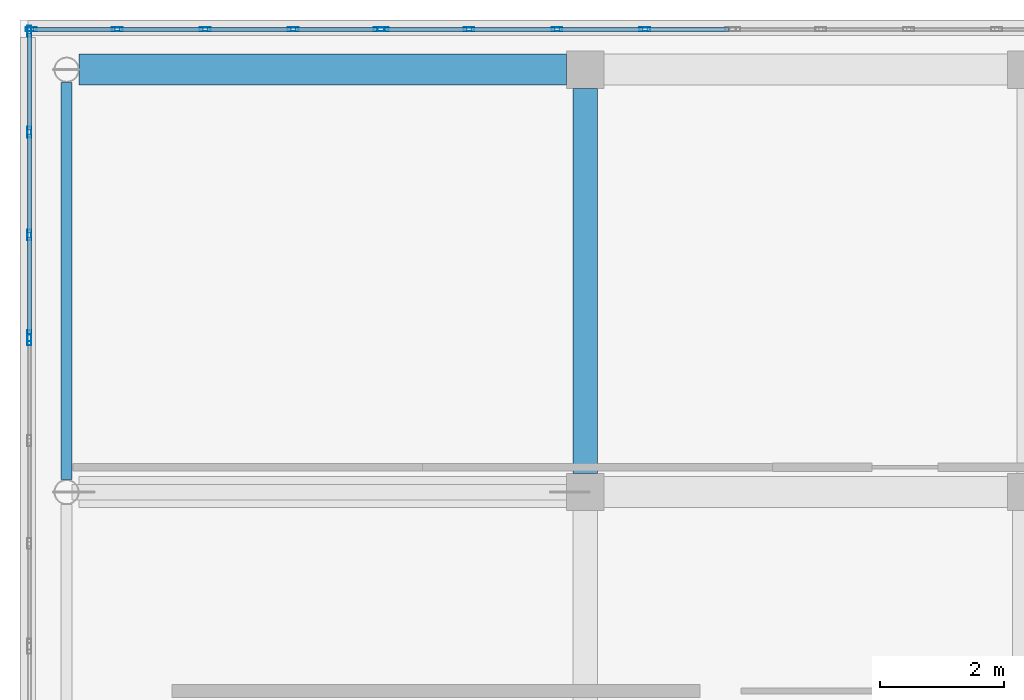
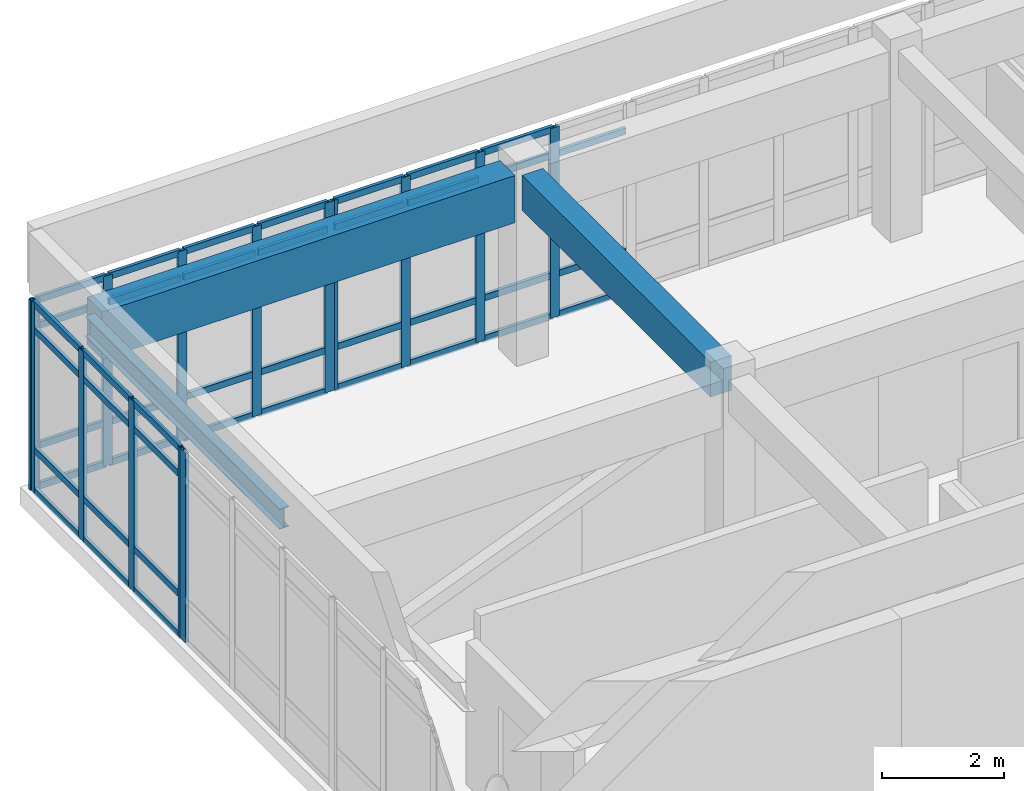
# One storey, part 5 of 14: 57 members, 3 beams, 4 elements without a shape of their own.
"""IFC4 building model written with IfcOpenShell, lengths in metres."""

from ifc_helpers import new_model, si_unit, direction, frame, origin, origin_2d, place, context, subcontext, project, spatial, rectangle, hollow_rectangle, i_section, extrude, material, layer, layer_set, material_profile, profile_set, type_object, element, aggregate, save


model = new_model("IFC4")

# Units and contexts
model_context = context("Model", 3, precision=1e-05, world=origin(), true_north=direction((0.0, 1.0)))
body_context = subcontext(model_context, "Body", "Model", "MODEL_VIEW")
ifc_project = project(units=[si_unit("LENGTHUNIT", "METRE"), si_unit("AREAUNIT", "SQUARE_METRE"), si_unit("VOLUMEUNIT", "CUBIC_METRE"), si_unit("PLANEANGLEUNIT", "RADIAN"), si_unit("MASSUNIT", "GRAM", prefix="KILO")], contexts=[model_context])

# Site, building, storey
site_placement = place(None, origin())
site = spatial("IfcSite", under=ifc_project, at=site_placement, CompositionType="ELEMENT")
building_placement = place(site_placement, origin())
building = spatial("IfcBuilding", under=site, at=building_placement, Name="Valcora Specialist Clinic", CompositionType="ELEMENT")
storey_placement = place(building_placement, frame((0.0, 0.0, 21.760009765625)))
storey = spatial("IfcBuildingStorey", under=building, at=storey_placement, Name="L05", CompositionType="ELEMENT", Elevation=21.760009765625)

# Beams
ifc_material_1 = material(Name="Steel ASTM A992 Grade 50", Category="steel")
ifc_material_profile_1 = material_profile(ifc_material_1, i_section(OverallWidth=0.177978515625, OverallDepth=0.406005859375, WebThickness=0.008056640625, FlangeThickness=0.012939453125, at=origin_2d()), Name="ST-IR-410X180")
ifc_profile_set_1 = profile_set([ifc_material_profile_1], Name="Steel ASTM A992 Grade 50")
beam_type_1 = type_object("IfcBeamType", Name="TY-BM-IR410", PredefinedType="SPANDREL", material=ifc_profile_set_1)
beam_1_placement = place(storey_placement, frame((0.75, 15.403076171875, 3.60302734375), z_axis=(0.0, 1.0, 0.0), x_axis=(-1.0, 0.0, 0.0)))
element("IfcBeam", 1, at=beam_1_placement, inside=storey, type_object=beam_type_1, Name="Beam BM-L05-1134", PredefinedType="SPANDREL", context=body_context, shape_type="SweptSolid", body=[
    extrude(i_section(OverallWidth=0.177978515625, OverallDepth=0.406005859375, WebThickness=0.008056640625, FlangeThickness=0.012939453125, at=origin_2d()), origin(), (0.0, 0.0, 1.0), 6.39404296875),
])
ifc_material_2 = material(Name="Concrete C40/50", Category="concrete")
ifc_material_profile_2 = material_profile(ifc_material_2, rectangle(XDim=0.39990234375, YDim=0.699951171875, at=origin_2d()), Name="RC-BM-400X700")
ifc_profile_set_2 = profile_set([ifc_material_profile_2], Name="Concrete C40/50")
beam_type_2 = type_object("IfcBeamType", Name="TY-BM-RC400X700", PredefinedType="BEAM", material=ifc_profile_set_2)
beam_2_placement = place(storey_placement, frame((9.10009765625, 15.5, 3.4599609375), z_axis=(0.0, 1.0, 0.0), x_axis=(-1.0, 0.0, 0.0)))
element("IfcBeam", 2, at=beam_2_placement, inside=storey, type_object=beam_type_2, Name="Beam BM-L05-1136", PredefinedType="BEAM", context=body_context, shape_type="SweptSolid", body=[
    extrude(rectangle(XDim=0.39990234375, YDim=0.699951171875, at=origin_2d()), origin(), (0.0, 0.0, 1.0), 6.199951171875),
])
ifc_material_profile_3 = material_profile(ifc_material_2, rectangle(XDim=0.5, YDim=0.949951171875, at=origin_2d()), Name="RC-BM-500X950")
ifc_profile_set_3 = profile_set([ifc_material_profile_3], Name="Concrete C40/50")
beam_type_3 = type_object("IfcBeamType", Name="TY-BM-TR500X950", PredefinedType="BEAM", material=ifc_profile_set_3)
beam_3_placement = place(storey_placement, frame((0.952880859375, 22.0, 3.3349609375), z_axis=(1.0, 0.0, 0.0), x_axis=(0.0, 1.0, 0.0)))
element("IfcBeam", 3, at=beam_3_placement, inside=storey, type_object=beam_type_3, Name="Beam BM-L05-1127", PredefinedType="BEAM", context=body_context, shape_type="SweptSolid", body=[
    extrude(rectangle(XDim=0.5, YDim=0.949951171875, at=origin_2d()), origin(), (0.0, 0.0, 1.0), 7.84716796875),
])

# Curtain wall, member
ifc_material_3 = material(Name="Anodized Bronze Aluminium 6063-T6", Category="aluminium")
ifc_layer = layer(ifc_material_3, 0.175048828125)
ifc_layer_set = layer_set([ifc_layer], Name="Anodized Bronze Aluminium 6063-T6")
curtain_wall_type = type_object("IfcCurtainWallType", Name="TY-CW-V5F15", PredefinedType="NOTDEFINED", material=ifc_layer_set)
curtain_wall_1_placement = place(storey_placement, origin())
curtain_wall_1 = element("IfcCurtainWall", 4, at=curtain_wall_1_placement, inside=storey, type_object=curtain_wall_type, Name="Curtain wall CW-L05-176", PredefinedType="NOTDEFINED")
ifc_material_profile_4 = material_profile(ifc_material_3, hollow_rectangle(XDim=0.06494140625, YDim=0.175048828125, WallThickness=0.00390625, at=origin_2d()), Name="AL-MUL-65X175")
ifc_profile_set_4 = profile_set([ifc_material_profile_4], Name="Anodized Bronze Aluminium 6063-T6")
member_type_1 = type_object("IfcMemberType", Name="TY-CWM-65X175", PredefinedType="MULLION", material=ifc_profile_set_4)
member_1_placement = place(storey_placement, frame((0.14990234375, 17.65087890625, 0.0), z_axis=(0.0, 0.0, 1.0), x_axis=(-1.0, 0.0, 0.0)))
member_1 = element("IfcMember", 5, at=member_1_placement, type_object=member_type_1, Name="CW-V5F-15 mullion 4", PredefinedType="MULLION", context=body_context, shape_type="SweptSolid", body=[
    extrude(hollow_rectangle(XDim=0.06494140625, YDim=0.175048828125, WallThickness=0.00390625, at=origin_2d()), origin(), (0.0, 0.0, 1.0), 3.81005859375),
])
aggregate(curtain_wall_1, [member_1])

# Curtain wall, members
curtain_wall_2_placement = place(storey_placement, origin())
curtain_wall_2 = element("IfcCurtainWall", 6, at=curtain_wall_2_placement, inside=storey, type_object=curtain_wall_type, Name="Curtain wall CW-L05-177", PredefinedType="NOTDEFINED")
member_2_placement = place(storey_placement, frame((0.14990234375, 17.7158203125, 0.0), z_axis=(0.0, 0.0, 1.0), x_axis=(-1.0, 0.0, 0.0)))
member_2 = element("IfcMember", 7, at=member_2_placement, type_object=member_type_1, Name="CW-V5F-15 mullion 1", PredefinedType="MULLION", context=body_context, shape_type="SweptSolid", body=[
    extrude(hollow_rectangle(XDim=0.06494140625, YDim=0.175048828125, WallThickness=0.00390625, at=origin_2d()), origin(), (0.0, 0.0, 1.0), 3.81005859375),
])
member_3_placement = place(storey_placement, frame((0.14990234375, 19.3388671875, 0.0), z_axis=(0.0, 0.0, 1.0), x_axis=(-1.0, 0.0, 0.0)))
member_3 = element("IfcMember", 8, at=member_3_placement, type_object=member_type_1, Name="CW-V5F-15 mullion 2", PredefinedType="MULLION", context=body_context, shape_type="SweptSolid", body=[
    extrude(hollow_rectangle(XDim=0.06494140625, YDim=0.175048828125, WallThickness=0.00390625, at=origin_2d()), origin(), (0.0, 0.0, 1.0), 3.81005859375),
])
member_4_placement = place(storey_placement, frame((0.14990234375, 20.994384765625, 0.0), z_axis=(0.0, 0.0, 1.0), x_axis=(-1.0, 0.0, 0.0)))
member_4 = element("IfcMember", 9, at=member_4_placement, type_object=member_type_1, Name="CW-V5F-15 mullion 3", PredefinedType="MULLION", context=body_context, shape_type="SweptSolid", body=[
    extrude(hollow_rectangle(XDim=0.06494140625, YDim=0.175048828125, WallThickness=0.00390625, at=origin_2d()), origin(), (0.0, 0.0, 1.0), 3.81005859375),
])
member_5_placement = place(storey_placement, frame((0.14990234375, 22.617431640625, 0.0), z_axis=(0.0, 0.0, 1.0), x_axis=(-1.0, 0.0, 0.0)))
member_5 = element("IfcMember", 10, at=member_5_placement, type_object=member_type_1, Name="CW-V5F-15 mullion 4", PredefinedType="MULLION", context=body_context, shape_type="SweptSolid", body=[
    extrude(hollow_rectangle(XDim=0.06494140625, YDim=0.175048828125, WallThickness=0.00390625, at=origin_2d()), origin(), (0.0, 0.0, 1.0), 3.81005859375),
])

curtain_wall_3_placement = place(storey_placement, origin())
curtain_wall_3 = element("IfcCurtainWall", 11, at=curtain_wall_3_placement, inside=storey, type_object=curtain_wall_type, Name="Curtain wall CW-L05-178", PredefinedType="NOTDEFINED")
member_6_placement = place(storey_placement, frame((0.1826171875, 22.64990234375, 0.0), z_axis=(0.0, 0.0, 1.0), x_axis=(0.0, 1.0, 0.0)))
member_6 = element("IfcMember", 12, at=member_6_placement, type_object=member_type_1, Name="CW-V5F-15 mullion 1", PredefinedType="MULLION", context=body_context, shape_type="SweptSolid", body=[
    extrude(hollow_rectangle(XDim=0.06494140625, YDim=0.175048828125, WallThickness=0.00390625, at=origin_2d()), origin(), (0.0, 0.0, 1.0), 3.81005859375),
])
member_7_placement = place(storey_placement, frame((1.565673828125, 22.64990234375, 0.0), z_axis=(0.0, 0.0, 1.0), x_axis=(0.0, 1.0, 0.0)))
member_7 = element("IfcMember", 13, at=member_7_placement, type_object=member_type_1, Name="CW-V5F-15 mullion 2", PredefinedType="MULLION", context=body_context, shape_type="SweptSolid", body=[
    extrude(hollow_rectangle(XDim=0.06494140625, YDim=0.175048828125, WallThickness=0.00390625, at=origin_2d()), origin(), (0.0, 0.0, 1.0), 3.81005859375),
])
member_8_placement = place(storey_placement, frame((2.981201171875, 22.64990234375, 0.0), z_axis=(0.0, 0.0, 1.0), x_axis=(0.0, 1.0, 0.0)))
member_8 = element("IfcMember", 14, at=member_8_placement, type_object=member_type_1, Name="CW-V5F-15 mullion 3", PredefinedType="MULLION", context=body_context, shape_type="SweptSolid", body=[
    extrude(hollow_rectangle(XDim=0.06494140625, YDim=0.175048828125, WallThickness=0.00390625, at=origin_2d()), origin(), (0.0, 0.0, 1.0), 3.81005859375),
])
member_9_placement = place(storey_placement, frame((4.39697265625, 22.64990234375, 0.0), z_axis=(0.0, 0.0, 1.0), x_axis=(0.0, 1.0, 0.0)))
member_9 = element("IfcMember", 15, at=member_9_placement, type_object=member_type_1, Name="CW-V5F-15 mullion 4", PredefinedType="MULLION", context=body_context, shape_type="SweptSolid", body=[
    extrude(hollow_rectangle(XDim=0.06494140625, YDim=0.175048828125, WallThickness=0.00390625, at=origin_2d()), origin(), (0.0, 0.0, 1.0), 3.81005859375),
])
member_10_placement = place(storey_placement, frame((5.780029296875, 22.64990234375, 0.0), z_axis=(0.0, 0.0, 1.0), x_axis=(0.0, 1.0, 0.0)))
member_10 = element("IfcMember", 16, at=member_10_placement, type_object=member_type_1, Name="CW-V5F-15 mullion 5", PredefinedType="MULLION", context=body_context, shape_type="SweptSolid", body=[
    extrude(hollow_rectangle(XDim=0.06494140625, YDim=0.175048828125, WallThickness=0.00390625, at=origin_2d()), origin(), (0.0, 0.0, 1.0), 3.81005859375),
])

curtain_wall_4_placement = place(storey_placement, origin())
curtain_wall_4 = element("IfcCurtainWall", 17, at=curtain_wall_4_placement, inside=storey, type_object=curtain_wall_type, Name="Curtain wall CW-L05-179", PredefinedType="NOTDEFINED")
member_11_placement = place(storey_placement, frame((5.844970703125, 22.64990234375, 0.0), z_axis=(0.0, 0.0, 1.0), x_axis=(0.0, 1.0, 0.0)))
member_11 = element("IfcMember", 18, at=member_11_placement, type_object=member_type_1, Name="CW-V5F-15 mullion 1", PredefinedType="MULLION", context=body_context, shape_type="SweptSolid", body=[
    extrude(hollow_rectangle(XDim=0.06494140625, YDim=0.175048828125, WallThickness=0.00390625, at=origin_2d()), origin(), (0.0, 0.0, 1.0), 3.81005859375),
])
member_12_placement = place(storey_placement, frame((7.22802734375, 22.64990234375, 0.0), z_axis=(0.0, 0.0, 1.0), x_axis=(0.0, 1.0, 0.0)))
member_12 = element("IfcMember", 19, at=member_12_placement, type_object=member_type_1, Name="CW-V5F-15 mullion 2", PredefinedType="MULLION", context=body_context, shape_type="SweptSolid", body=[
    extrude(hollow_rectangle(XDim=0.06494140625, YDim=0.175048828125, WallThickness=0.00390625, at=origin_2d()), origin(), (0.0, 0.0, 1.0), 3.81005859375),
])
member_13_placement = place(storey_placement, frame((8.643798828125, 22.64990234375, 0.0), z_axis=(0.0, 0.0, 1.0), x_axis=(0.0, 1.0, 0.0)))
member_13 = element("IfcMember", 20, at=member_13_placement, type_object=member_type_1, Name="CW-V5F-15 mullion 3", PredefinedType="MULLION", context=body_context, shape_type="SweptSolid", body=[
    extrude(hollow_rectangle(XDim=0.06494140625, YDim=0.175048828125, WallThickness=0.00390625, at=origin_2d()), origin(), (0.0, 0.0, 1.0), 3.81005859375),
])
member_14_placement = place(storey_placement, frame((10.059326171875, 22.64990234375, 0.0), z_axis=(0.0, 0.0, 1.0), x_axis=(0.0, 1.0, 0.0)))
member_14 = element("IfcMember", 21, at=member_14_placement, type_object=member_type_1, Name="CW-V5F-15 mullion 4", PredefinedType="MULLION", context=body_context, shape_type="SweptSolid", body=[
    extrude(hollow_rectangle(XDim=0.06494140625, YDim=0.175048828125, WallThickness=0.00390625, at=origin_2d()), origin(), (0.0, 0.0, 1.0), 3.81005859375),
])

# Member
ifc_material_profile_5 = material_profile(ifc_material_3, hollow_rectangle(XDim=0.06494140625, YDim=0.1298828125, WallThickness=0.00390625, at=origin_2d()), Name="AL-TRN-65X130")
ifc_profile_set_5 = profile_set([ifc_material_profile_5], Name="Anodized Bronze Aluminium 6063-T6")
member_type_2 = type_object("IfcMemberType", Name="TY-CWT-65X130", PredefinedType="USERDEFINED", material=ifc_profile_set_5)
member_15_placement = place(storey_placement, frame((0.14990234375, 17.748291015625, 0.032470703125), z_axis=(0.0, 1.0, 0.0), x_axis=(-1.0, 0.0, 0.0)))
member_15 = element("IfcMember", 22, at=member_15_placement, type_object=member_type_2, Name="CW-V5F-15 transom 1.1", ObjectType="TRANSOM", PredefinedType="USERDEFINED", context=body_context, shape_type="SweptSolid", body=[
    extrude(hollow_rectangle(XDim=0.06494140625, YDim=0.1298828125, WallThickness=0.00390625, at=origin_2d()), origin(), (0.0, 0.0, 1.0), 1.55810546875),
])

member_16_placement = place(storey_placement, frame((0.14990234375, 17.748291015625, 0.85009765625), z_axis=(0.0, 1.0, 0.0), x_axis=(-1.0, 0.0, 0.0)))
member_16 = element("IfcMember", 23, at=member_16_placement, type_object=member_type_2, Name="CW-V5F-15 transom 1.2", ObjectType="TRANSOM", PredefinedType="USERDEFINED", context=body_context, shape_type="SweptSolid", body=[
    extrude(hollow_rectangle(XDim=0.06494140625, YDim=0.1298828125, WallThickness=0.00390625, at=origin_2d()), origin(), (0.0, 0.0, 1.0), 1.55810546875),
])

member_17_placement = place(storey_placement, frame((0.14990234375, 17.748291015625, 3.260009765625), z_axis=(0.0, 1.0, 0.0), x_axis=(-1.0, 0.0, 0.0)))
member_17 = element("IfcMember", 24, at=member_17_placement, type_object=member_type_2, Name="CW-V5F-15 transom 1.3", ObjectType="TRANSOM", PredefinedType="USERDEFINED", context=body_context, shape_type="SweptSolid", body=[
    extrude(hollow_rectangle(XDim=0.06494140625, YDim=0.1298828125, WallThickness=0.00390625, at=origin_2d()), origin(), (0.0, 0.0, 1.0), 1.55810546875),
])

member_18_placement = place(storey_placement, frame((0.14990234375, 17.748291015625, 3.777587890625), z_axis=(0.0, 1.0, 0.0), x_axis=(-1.0, 0.0, 0.0)))
member_18 = element("IfcMember", 25, at=member_18_placement, type_object=member_type_2, Name="CW-V5F-15 transom 1.4", ObjectType="TRANSOM", PredefinedType="USERDEFINED", context=body_context, shape_type="SweptSolid", body=[
    extrude(hollow_rectangle(XDim=0.06494140625, YDim=0.1298828125, WallThickness=0.00390625, at=origin_2d()), origin(), (0.0, 0.0, 1.0), 1.55810546875),
])

member_19_placement = place(storey_placement, frame((0.14990234375, 19.371337890625, 0.032470703125), z_axis=(0.0, 1.0, 0.0), x_axis=(-1.0, 0.0, 0.0)))
member_19 = element("IfcMember", 26, at=member_19_placement, type_object=member_type_2, Name="CW-V5F-15 transom 2.1", ObjectType="TRANSOM", PredefinedType="USERDEFINED", context=body_context, shape_type="SweptSolid", body=[
    extrude(hollow_rectangle(XDim=0.06494140625, YDim=0.1298828125, WallThickness=0.00390625, at=origin_2d()), origin(), (0.0, 0.0, 1.0), 1.590576171875),
])

member_20_placement = place(storey_placement, frame((0.14990234375, 19.371337890625, 0.85009765625), z_axis=(0.0, 1.0, 0.0), x_axis=(-1.0, 0.0, 0.0)))
member_20 = element("IfcMember", 27, at=member_20_placement, type_object=member_type_2, Name="CW-V5F-15 transom 2.2", ObjectType="TRANSOM", PredefinedType="USERDEFINED", context=body_context, shape_type="SweptSolid", body=[
    extrude(hollow_rectangle(XDim=0.06494140625, YDim=0.1298828125, WallThickness=0.00390625, at=origin_2d()), origin(), (0.0, 0.0, 1.0), 1.590576171875),
])

member_21_placement = place(storey_placement, frame((0.14990234375, 19.371337890625, 3.260009765625), z_axis=(0.0, 1.0, 0.0), x_axis=(-1.0, 0.0, 0.0)))
member_21 = element("IfcMember", 28, at=member_21_placement, type_object=member_type_2, Name="CW-V5F-15 transom 2.3", ObjectType="TRANSOM", PredefinedType="USERDEFINED", context=body_context, shape_type="SweptSolid", body=[
    extrude(hollow_rectangle(XDim=0.06494140625, YDim=0.1298828125, WallThickness=0.00390625, at=origin_2d()), origin(), (0.0, 0.0, 1.0), 1.590576171875),
])

member_22_placement = place(storey_placement, frame((0.14990234375, 19.371337890625, 3.777587890625), z_axis=(0.0, 1.0, 0.0), x_axis=(-1.0, 0.0, 0.0)))
member_22 = element("IfcMember", 29, at=member_22_placement, type_object=member_type_2, Name="CW-V5F-15 transom 2.4", ObjectType="TRANSOM", PredefinedType="USERDEFINED", context=body_context, shape_type="SweptSolid", body=[
    extrude(hollow_rectangle(XDim=0.06494140625, YDim=0.1298828125, WallThickness=0.00390625, at=origin_2d()), origin(), (0.0, 0.0, 1.0), 1.590576171875),
])

member_23_placement = place(storey_placement, frame((0.14990234375, 21.02685546875, 0.032470703125), z_axis=(0.0, 1.0, 0.0), x_axis=(-1.0, 0.0, 0.0)))
member_23 = element("IfcMember", 30, at=member_23_placement, type_object=member_type_2, Name="CW-V5F-15 transom 3.1", ObjectType="TRANSOM", PredefinedType="USERDEFINED", context=body_context, shape_type="SweptSolid", body=[
    extrude(hollow_rectangle(XDim=0.06494140625, YDim=0.1298828125, WallThickness=0.00390625, at=origin_2d()), origin(), (0.0, 0.0, 1.0), 1.55810546875),
])

member_24_placement = place(storey_placement, frame((0.14990234375, 21.02685546875, 0.85009765625), z_axis=(0.0, 1.0, 0.0), x_axis=(-1.0, 0.0, 0.0)))
member_24 = element("IfcMember", 31, at=member_24_placement, type_object=member_type_2, Name="CW-V5F-15 transom 3.2", ObjectType="TRANSOM", PredefinedType="USERDEFINED", context=body_context, shape_type="SweptSolid", body=[
    extrude(hollow_rectangle(XDim=0.06494140625, YDim=0.1298828125, WallThickness=0.00390625, at=origin_2d()), origin(), (0.0, 0.0, 1.0), 1.55810546875),
])

member_25_placement = place(storey_placement, frame((0.14990234375, 21.02685546875, 3.260009765625), z_axis=(0.0, 1.0, 0.0), x_axis=(-1.0, 0.0, 0.0)))
member_25 = element("IfcMember", 32, at=member_25_placement, type_object=member_type_2, Name="CW-V5F-15 transom 3.3", ObjectType="TRANSOM", PredefinedType="USERDEFINED", context=body_context, shape_type="SweptSolid", body=[
    extrude(hollow_rectangle(XDim=0.06494140625, YDim=0.1298828125, WallThickness=0.00390625, at=origin_2d()), origin(), (0.0, 0.0, 1.0), 1.55810546875),
])

member_26_placement = place(storey_placement, frame((0.14990234375, 21.02685546875, 3.777587890625), z_axis=(0.0, 1.0, 0.0), x_axis=(-1.0, 0.0, 0.0)))
member_26 = element("IfcMember", 33, at=member_26_placement, type_object=member_type_2, Name="CW-V5F-15 transom 3.4", ObjectType="TRANSOM", PredefinedType="USERDEFINED", context=body_context, shape_type="SweptSolid", body=[
    extrude(hollow_rectangle(XDim=0.06494140625, YDim=0.1298828125, WallThickness=0.00390625, at=origin_2d()), origin(), (0.0, 0.0, 1.0), 1.55810546875),
])

aggregate(curtain_wall_2, [member_2, member_3, member_4, member_5, member_15, member_16, member_17, member_18, member_19, member_20, member_21, member_22, member_23, member_24, member_25, member_26])

member_27_placement = place(storey_placement, frame((0.215087890625, 22.64990234375, 0.032470703125), z_axis=(1.0, 0.0, 0.0), x_axis=(0.0, 1.0, 0.0)))
member_27 = element("IfcMember", 34, at=member_27_placement, type_object=member_type_2, Name="CW-V5F-15 transom 1.1", ObjectType="TRANSOM", PredefinedType="USERDEFINED", context=body_context, shape_type="SweptSolid", body=[
    extrude(hollow_rectangle(XDim=0.06494140625, YDim=0.1298828125, WallThickness=0.00390625, at=origin_2d()), origin(), (0.0, 0.0, 1.0), 1.318115234375),
])

member_28_placement = place(storey_placement, frame((0.215087890625, 22.64990234375, 0.85009765625), z_axis=(1.0, 0.0, 0.0), x_axis=(0.0, 1.0, 0.0)))
member_28 = element("IfcMember", 35, at=member_28_placement, type_object=member_type_2, Name="CW-V5F-15 transom 1.2", ObjectType="TRANSOM", PredefinedType="USERDEFINED", context=body_context, shape_type="SweptSolid", body=[
    extrude(hollow_rectangle(XDim=0.06494140625, YDim=0.1298828125, WallThickness=0.00390625, at=origin_2d()), origin(), (0.0, 0.0, 1.0), 1.318115234375),
])

member_29_placement = place(storey_placement, frame((0.215087890625, 22.64990234375, 3.260009765625), z_axis=(1.0, 0.0, 0.0), x_axis=(0.0, 1.0, 0.0)))
member_29 = element("IfcMember", 36, at=member_29_placement, type_object=member_type_2, Name="CW-V5F-15 transom 1.3", ObjectType="TRANSOM", PredefinedType="USERDEFINED", context=body_context, shape_type="SweptSolid", body=[
    extrude(hollow_rectangle(XDim=0.06494140625, YDim=0.1298828125, WallThickness=0.00390625, at=origin_2d()), origin(), (0.0, 0.0, 1.0), 1.318115234375),
])

member_30_placement = place(storey_placement, frame((0.215087890625, 22.64990234375, 3.777587890625), z_axis=(1.0, 0.0, 0.0), x_axis=(0.0, 1.0, 0.0)))
member_30 = element("IfcMember", 37, at=member_30_placement, type_object=member_type_2, Name="CW-V5F-15 transom 1.4", ObjectType="TRANSOM", PredefinedType="USERDEFINED", context=body_context, shape_type="SweptSolid", body=[
    extrude(hollow_rectangle(XDim=0.06494140625, YDim=0.1298828125, WallThickness=0.00390625, at=origin_2d()), origin(), (0.0, 0.0, 1.0), 1.318115234375),
])

member_31_placement = place(storey_placement, frame((1.59814453125, 22.64990234375, 0.032470703125), z_axis=(1.0, 0.0, 0.0), x_axis=(0.0, 1.0, 0.0)))
member_31 = element("IfcMember", 38, at=member_31_placement, type_object=member_type_2, Name="CW-V5F-15 transom 2.1", ObjectType="TRANSOM", PredefinedType="USERDEFINED", context=body_context, shape_type="SweptSolid", body=[
    extrude(hollow_rectangle(XDim=0.06494140625, YDim=0.1298828125, WallThickness=0.00390625, at=origin_2d()), origin(), (0.0, 0.0, 1.0), 1.3505859375),
])

member_32_placement = place(storey_placement, frame((1.59814453125, 22.64990234375, 0.85009765625), z_axis=(1.0, 0.0, 0.0), x_axis=(0.0, 1.0, 0.0)))
member_32 = element("IfcMember", 39, at=member_32_placement, type_object=member_type_2, Name="CW-V5F-15 transom 2.2", ObjectType="TRANSOM", PredefinedType="USERDEFINED", context=body_context, shape_type="SweptSolid", body=[
    extrude(hollow_rectangle(XDim=0.06494140625, YDim=0.1298828125, WallThickness=0.00390625, at=origin_2d()), origin(), (0.0, 0.0, 1.0), 1.3505859375),
])

member_33_placement = place(storey_placement, frame((1.59814453125, 22.64990234375, 3.260009765625), z_axis=(1.0, 0.0, 0.0), x_axis=(0.0, 1.0, 0.0)))
member_33 = element("IfcMember", 40, at=member_33_placement, type_object=member_type_2, Name="CW-V5F-15 transom 2.3", ObjectType="TRANSOM", PredefinedType="USERDEFINED", context=body_context, shape_type="SweptSolid", body=[
    extrude(hollow_rectangle(XDim=0.06494140625, YDim=0.1298828125, WallThickness=0.00390625, at=origin_2d()), origin(), (0.0, 0.0, 1.0), 1.3505859375),
])

member_34_placement = place(storey_placement, frame((1.59814453125, 22.64990234375, 3.777587890625), z_axis=(1.0, 0.0, 0.0), x_axis=(0.0, 1.0, 0.0)))
member_34 = element("IfcMember", 41, at=member_34_placement, type_object=member_type_2, Name="CW-V5F-15 transom 2.4", ObjectType="TRANSOM", PredefinedType="USERDEFINED", context=body_context, shape_type="SweptSolid", body=[
    extrude(hollow_rectangle(XDim=0.06494140625, YDim=0.1298828125, WallThickness=0.00390625, at=origin_2d()), origin(), (0.0, 0.0, 1.0), 1.3505859375),
])

member_35_placement = place(storey_placement, frame((3.013671875, 22.64990234375, 0.032470703125), z_axis=(1.0, 0.0, 0.0), x_axis=(0.0, 1.0, 0.0)))
member_35 = element("IfcMember", 42, at=member_35_placement, type_object=member_type_2, Name="CW-V5F-15 transom 3.1", ObjectType="TRANSOM", PredefinedType="USERDEFINED", context=body_context, shape_type="SweptSolid", body=[
    extrude(hollow_rectangle(XDim=0.06494140625, YDim=0.1298828125, WallThickness=0.00390625, at=origin_2d()), origin(), (0.0, 0.0, 1.0), 1.3505859375),
])

member_36_placement = place(storey_placement, frame((3.013671875, 22.64990234375, 0.85009765625), z_axis=(1.0, 0.0, 0.0), x_axis=(0.0, 1.0, 0.0)))
member_36 = element("IfcMember", 43, at=member_36_placement, type_object=member_type_2, Name="CW-V5F-15 transom 3.2", ObjectType="TRANSOM", PredefinedType="USERDEFINED", context=body_context, shape_type="SweptSolid", body=[
    extrude(hollow_rectangle(XDim=0.06494140625, YDim=0.1298828125, WallThickness=0.00390625, at=origin_2d()), origin(), (0.0, 0.0, 1.0), 1.3505859375),
])

member_37_placement = place(storey_placement, frame((3.013671875, 22.64990234375, 3.260009765625), z_axis=(1.0, 0.0, 0.0), x_axis=(0.0, 1.0, 0.0)))
member_37 = element("IfcMember", 44, at=member_37_placement, type_object=member_type_2, Name="CW-V5F-15 transom 3.3", ObjectType="TRANSOM", PredefinedType="USERDEFINED", context=body_context, shape_type="SweptSolid", body=[
    extrude(hollow_rectangle(XDim=0.06494140625, YDim=0.1298828125, WallThickness=0.00390625, at=origin_2d()), origin(), (0.0, 0.0, 1.0), 1.3505859375),
])

member_38_placement = place(storey_placement, frame((3.013671875, 22.64990234375, 3.777587890625), z_axis=(1.0, 0.0, 0.0), x_axis=(0.0, 1.0, 0.0)))
member_38 = element("IfcMember", 45, at=member_38_placement, type_object=member_type_2, Name="CW-V5F-15 transom 3.4", ObjectType="TRANSOM", PredefinedType="USERDEFINED", context=body_context, shape_type="SweptSolid", body=[
    extrude(hollow_rectangle(XDim=0.06494140625, YDim=0.1298828125, WallThickness=0.00390625, at=origin_2d()), origin(), (0.0, 0.0, 1.0), 1.3505859375),
])

member_39_placement = place(storey_placement, frame((4.429443359375, 22.64990234375, 0.032470703125), z_axis=(1.0, 0.0, 0.0), x_axis=(0.0, 1.0, 0.0)))
member_39 = element("IfcMember", 46, at=member_39_placement, type_object=member_type_2, Name="CW-V5F-15 transom 4.1", ObjectType="TRANSOM", PredefinedType="USERDEFINED", context=body_context, shape_type="SweptSolid", body=[
    extrude(hollow_rectangle(XDim=0.06494140625, YDim=0.1298828125, WallThickness=0.00390625, at=origin_2d()), origin(), (0.0, 0.0, 1.0), 1.318115234375),
])

member_40_placement = place(storey_placement, frame((4.429443359375, 22.64990234375, 0.85009765625), z_axis=(1.0, 0.0, 0.0), x_axis=(0.0, 1.0, 0.0)))
member_40 = element("IfcMember", 47, at=member_40_placement, type_object=member_type_2, Name="CW-V5F-15 transom 4.2", ObjectType="TRANSOM", PredefinedType="USERDEFINED", context=body_context, shape_type="SweptSolid", body=[
    extrude(hollow_rectangle(XDim=0.06494140625, YDim=0.1298828125, WallThickness=0.00390625, at=origin_2d()), origin(), (0.0, 0.0, 1.0), 1.318115234375),
])

member_41_placement = place(storey_placement, frame((4.429443359375, 22.64990234375, 3.260009765625), z_axis=(1.0, 0.0, 0.0), x_axis=(0.0, 1.0, 0.0)))
member_41 = element("IfcMember", 48, at=member_41_placement, type_object=member_type_2, Name="CW-V5F-15 transom 4.3", ObjectType="TRANSOM", PredefinedType="USERDEFINED", context=body_context, shape_type="SweptSolid", body=[
    extrude(hollow_rectangle(XDim=0.06494140625, YDim=0.1298828125, WallThickness=0.00390625, at=origin_2d()), origin(), (0.0, 0.0, 1.0), 1.318115234375),
])

member_42_placement = place(storey_placement, frame((4.429443359375, 22.64990234375, 3.777587890625), z_axis=(1.0, 0.0, 0.0), x_axis=(0.0, 1.0, 0.0)))
member_42 = element("IfcMember", 49, at=member_42_placement, type_object=member_type_2, Name="CW-V5F-15 transom 4.4", ObjectType="TRANSOM", PredefinedType="USERDEFINED", context=body_context, shape_type="SweptSolid", body=[
    extrude(hollow_rectangle(XDim=0.06494140625, YDim=0.1298828125, WallThickness=0.00390625, at=origin_2d()), origin(), (0.0, 0.0, 1.0), 1.318115234375),
])

aggregate(curtain_wall_3, [member_6, member_7, member_8, member_9, member_10, member_27, member_28, member_29, member_30, member_31, member_32, member_33, member_34, member_35, member_36, member_37, member_38, member_39, member_40, member_41, member_42])

member_43_placement = place(storey_placement, frame((5.87744140625, 22.64990234375, 0.032470703125), z_axis=(1.0, 0.0, 0.0), x_axis=(0.0, 1.0, 0.0)))
member_43 = element("IfcMember", 50, at=member_43_placement, type_object=member_type_2, Name="CW-V5F-15 transom 1.1", ObjectType="TRANSOM", PredefinedType="USERDEFINED", context=body_context, shape_type="SweptSolid", body=[
    extrude(hollow_rectangle(XDim=0.06494140625, YDim=0.1298828125, WallThickness=0.00390625, at=origin_2d()), origin(), (0.0, 0.0, 1.0), 1.318115234375),
])

member_44_placement = place(storey_placement, frame((5.87744140625, 22.64990234375, 0.85009765625), z_axis=(1.0, 0.0, 0.0), x_axis=(0.0, 1.0, 0.0)))
member_44 = element("IfcMember", 51, at=member_44_placement, type_object=member_type_2, Name="CW-V5F-15 transom 1.2", ObjectType="TRANSOM", PredefinedType="USERDEFINED", context=body_context, shape_type="SweptSolid", body=[
    extrude(hollow_rectangle(XDim=0.06494140625, YDim=0.1298828125, WallThickness=0.00390625, at=origin_2d()), origin(), (0.0, 0.0, 1.0), 1.318115234375),
])

member_45_placement = place(storey_placement, frame((5.87744140625, 22.64990234375, 3.260009765625), z_axis=(1.0, 0.0, 0.0), x_axis=(0.0, 1.0, 0.0)))
member_45 = element("IfcMember", 52, at=member_45_placement, type_object=member_type_2, Name="CW-V5F-15 transom 1.3", ObjectType="TRANSOM", PredefinedType="USERDEFINED", context=body_context, shape_type="SweptSolid", body=[
    extrude(hollow_rectangle(XDim=0.06494140625, YDim=0.1298828125, WallThickness=0.00390625, at=origin_2d()), origin(), (0.0, 0.0, 1.0), 1.318115234375),
])

member_46_placement = place(storey_placement, frame((5.87744140625, 22.64990234375, 3.777587890625), z_axis=(1.0, 0.0, 0.0), x_axis=(0.0, 1.0, 0.0)))
member_46 = element("IfcMember", 53, at=member_46_placement, type_object=member_type_2, Name="CW-V5F-15 transom 1.4", ObjectType="TRANSOM", PredefinedType="USERDEFINED", context=body_context, shape_type="SweptSolid", body=[
    extrude(hollow_rectangle(XDim=0.06494140625, YDim=0.1298828125, WallThickness=0.00390625, at=origin_2d()), origin(), (0.0, 0.0, 1.0), 1.318115234375),
])

member_47_placement = place(storey_placement, frame((7.2607421875, 22.64990234375, 0.032470703125), z_axis=(1.0, 0.0, 0.0), x_axis=(0.0, 1.0, 0.0)))
member_47 = element("IfcMember", 54, at=member_47_placement, type_object=member_type_2, Name="CW-V5F-15 transom 2.1", ObjectType="TRANSOM", PredefinedType="USERDEFINED", context=body_context, shape_type="SweptSolid", body=[
    extrude(hollow_rectangle(XDim=0.06494140625, YDim=0.1298828125, WallThickness=0.00390625, at=origin_2d()), origin(), (0.0, 0.0, 1.0), 1.3505859375),
])

member_48_placement = place(storey_placement, frame((7.2607421875, 22.64990234375, 0.85009765625), z_axis=(1.0, 0.0, 0.0), x_axis=(0.0, 1.0, 0.0)))
member_48 = element("IfcMember", 55, at=member_48_placement, type_object=member_type_2, Name="CW-V5F-15 transom 2.2", ObjectType="TRANSOM", PredefinedType="USERDEFINED", context=body_context, shape_type="SweptSolid", body=[
    extrude(hollow_rectangle(XDim=0.06494140625, YDim=0.1298828125, WallThickness=0.00390625, at=origin_2d()), origin(), (0.0, 0.0, 1.0), 1.3505859375),
])

member_49_placement = place(storey_placement, frame((7.2607421875, 22.64990234375, 3.260009765625), z_axis=(1.0, 0.0, 0.0), x_axis=(0.0, 1.0, 0.0)))
member_49 = element("IfcMember", 56, at=member_49_placement, type_object=member_type_2, Name="CW-V5F-15 transom 2.3", ObjectType="TRANSOM", PredefinedType="USERDEFINED", context=body_context, shape_type="SweptSolid", body=[
    extrude(hollow_rectangle(XDim=0.06494140625, YDim=0.1298828125, WallThickness=0.00390625, at=origin_2d()), origin(), (0.0, 0.0, 1.0), 1.3505859375),
])

member_50_placement = place(storey_placement, frame((7.2607421875, 22.64990234375, 3.777587890625), z_axis=(1.0, 0.0, 0.0), x_axis=(0.0, 1.0, 0.0)))
member_50 = element("IfcMember", 57, at=member_50_placement, type_object=member_type_2, Name="CW-V5F-15 transom 2.4", ObjectType="TRANSOM", PredefinedType="USERDEFINED", context=body_context, shape_type="SweptSolid", body=[
    extrude(hollow_rectangle(XDim=0.06494140625, YDim=0.1298828125, WallThickness=0.00390625, at=origin_2d()), origin(), (0.0, 0.0, 1.0), 1.3505859375),
])

member_51_placement = place(storey_placement, frame((8.67626953125, 22.64990234375, 0.032470703125), z_axis=(1.0, 0.0, 0.0), x_axis=(0.0, 1.0, 0.0)))
member_51 = element("IfcMember", 58, at=member_51_placement, type_object=member_type_2, Name="CW-V5F-15 transom 3.1", ObjectType="TRANSOM", PredefinedType="USERDEFINED", context=body_context, shape_type="SweptSolid", body=[
    extrude(hollow_rectangle(XDim=0.06494140625, YDim=0.1298828125, WallThickness=0.00390625, at=origin_2d()), origin(), (0.0, 0.0, 1.0), 1.3505859375),
])

member_52_placement = place(storey_placement, frame((8.67626953125, 22.64990234375, 0.85009765625), z_axis=(1.0, 0.0, 0.0), x_axis=(0.0, 1.0, 0.0)))
member_52 = element("IfcMember", 59, at=member_52_placement, type_object=member_type_2, Name="CW-V5F-15 transom 3.2", ObjectType="TRANSOM", PredefinedType="USERDEFINED", context=body_context, shape_type="SweptSolid", body=[
    extrude(hollow_rectangle(XDim=0.06494140625, YDim=0.1298828125, WallThickness=0.00390625, at=origin_2d()), origin(), (0.0, 0.0, 1.0), 1.3505859375),
])

member_53_placement = place(storey_placement, frame((8.67626953125, 22.64990234375, 3.260009765625), z_axis=(1.0, 0.0, 0.0), x_axis=(0.0, 1.0, 0.0)))
member_53 = element("IfcMember", 60, at=member_53_placement, type_object=member_type_2, Name="CW-V5F-15 transom 3.3", ObjectType="TRANSOM", PredefinedType="USERDEFINED", context=body_context, shape_type="SweptSolid", body=[
    extrude(hollow_rectangle(XDim=0.06494140625, YDim=0.1298828125, WallThickness=0.00390625, at=origin_2d()), origin(), (0.0, 0.0, 1.0), 1.3505859375),
])

member_54_placement = place(storey_placement, frame((8.67626953125, 22.64990234375, 3.777587890625), z_axis=(1.0, 0.0, 0.0), x_axis=(0.0, 1.0, 0.0)))
member_54 = element("IfcMember", 61, at=member_54_placement, type_object=member_type_2, Name="CW-V5F-15 transom 3.4", ObjectType="TRANSOM", PredefinedType="USERDEFINED", context=body_context, shape_type="SweptSolid", body=[
    extrude(hollow_rectangle(XDim=0.06494140625, YDim=0.1298828125, WallThickness=0.00390625, at=origin_2d()), origin(), (0.0, 0.0, 1.0), 1.3505859375),
])

member_55_placement = place(storey_placement, frame((10.091796875, 22.64990234375, 0.032470703125), z_axis=(1.0, 0.0, 0.0), x_axis=(0.0, 1.0, 0.0)))
member_55 = element("IfcMember", 62, at=member_55_placement, type_object=member_type_2, Name="CW-V5F-15 transom 4.1", ObjectType="TRANSOM", PredefinedType="USERDEFINED", context=body_context, shape_type="SweptSolid", body=[
    extrude(hollow_rectangle(XDim=0.06494140625, YDim=0.1298828125, WallThickness=0.00390625, at=origin_2d()), origin(), (0.0, 0.0, 1.0), 1.318115234375),
])

member_56_placement = place(storey_placement, frame((10.091796875, 22.64990234375, 0.85009765625), z_axis=(1.0, 0.0, 0.0), x_axis=(0.0, 1.0, 0.0)))
member_56 = element("IfcMember", 63, at=member_56_placement, type_object=member_type_2, Name="CW-V5F-15 transom 4.2", ObjectType="TRANSOM", PredefinedType="USERDEFINED", context=body_context, shape_type="SweptSolid", body=[
    extrude(hollow_rectangle(XDim=0.06494140625, YDim=0.1298828125, WallThickness=0.00390625, at=origin_2d()), origin(), (0.0, 0.0, 1.0), 1.318115234375),
])

member_57_placement = place(storey_placement, frame((10.091796875, 22.64990234375, 3.260009765625), z_axis=(1.0, 0.0, 0.0), x_axis=(0.0, 1.0, 0.0)))
member_57 = element("IfcMember", 64, at=member_57_placement, type_object=member_type_2, Name="CW-V5F-15 transom 4.3", ObjectType="TRANSOM", PredefinedType="USERDEFINED", context=body_context, shape_type="SweptSolid", body=[
    extrude(hollow_rectangle(XDim=0.06494140625, YDim=0.1298828125, WallThickness=0.00390625, at=origin_2d()), origin(), (0.0, 0.0, 1.0), 1.318115234375),
])

aggregate(curtain_wall_4, [member_11, member_12, member_13, member_14, member_43, member_44, member_45, member_46, member_47, member_48, member_49, member_50, member_51, member_52, member_53, member_54, member_55, member_56, member_57])

save(model, "model.ifc")
